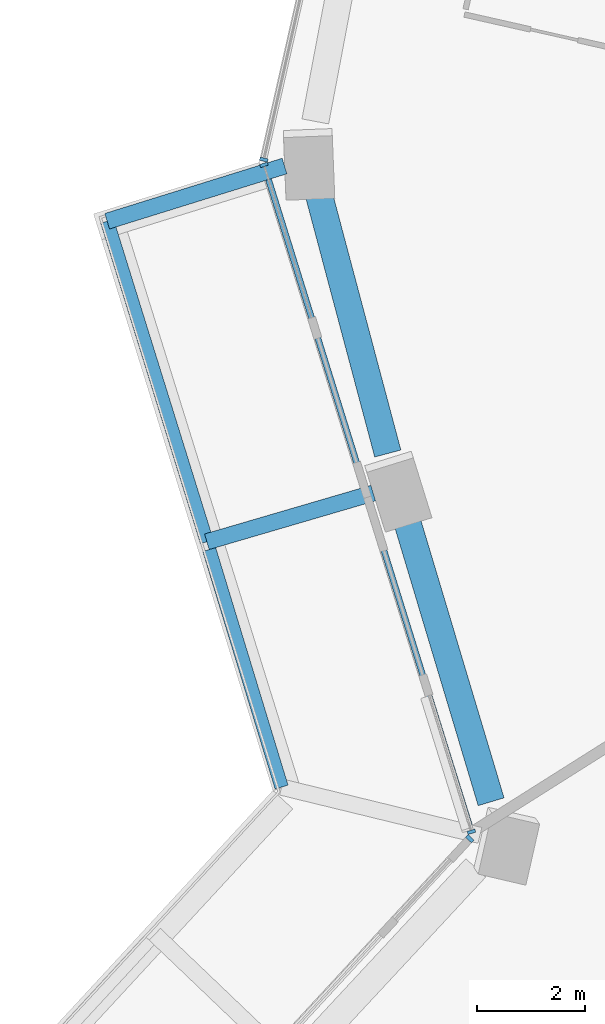
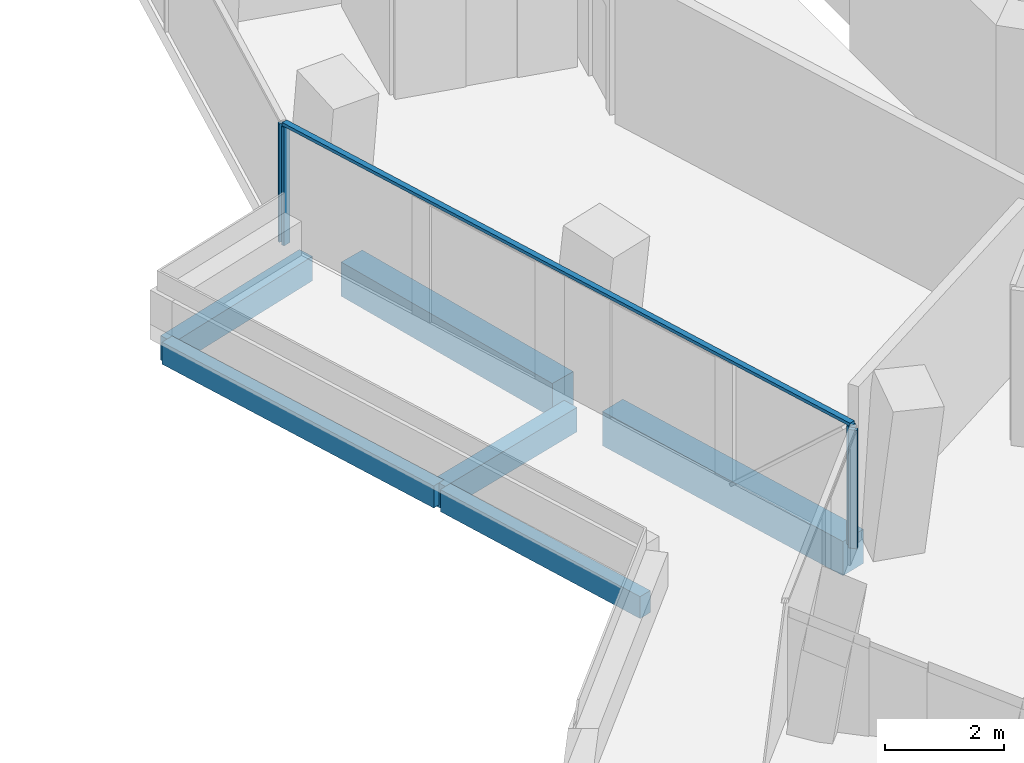
# One storey, part 4 of 25: 6 beams, 5 members, 3 elements without a shape of their own.
"""IFC4 building model written with IfcOpenShell, lengths in metres."""

from ifc_helpers import new_model, si_unit, direction, frame, origin, origin_2d, place, context, subcontext, project, spatial, rectangle, extrude, material, layer, layer_set, material_profile, profile_set, type_object, element, aggregate, save


model = new_model("IFC4")

# Units and contexts
model_context = context("Model", 3, precision=1e-05, world=origin(), true_north=direction((0.0, 1.0)))
body_context = subcontext(model_context, "Body", "Model", "MODEL_VIEW")
ifc_project = project(units=[si_unit("LENGTHUNIT", "METRE"), si_unit("AREAUNIT", "SQUARE_METRE"), si_unit("VOLUMEUNIT", "CUBIC_METRE"), si_unit("PLANEANGLEUNIT", "RADIAN"), si_unit("MASSUNIT", "GRAM", prefix="KILO")], contexts=[model_context])

# Site, building, storey
site_placement = place(None, origin())
site = spatial("IfcSite", under=ifc_project, at=site_placement, CompositionType="ELEMENT")
building_placement = place(site_placement, origin())
building = spatial("IfcBuilding", under=site, at=building_placement, Name="Verdalira Terraces Hotel", CompositionType="ELEMENT")
storey_placement = place(building_placement, frame((0.0, 0.0, 103.5)))
storey = spatial("IfcBuildingStorey", under=building, at=storey_placement, Name="L24", CompositionType="ELEMENT", Elevation=103.5)

# Beams
ifc_material_1 = material(Name="Concrete C40", Category="concrete")
ifc_material_profile_1 = material_profile(ifc_material_1, rectangle(XDim=0.300049, YDim=0.5, at=origin_2d()), Name="RC 300X500")
ifc_profile_set_1 = profile_set([ifc_material_profile_1], Name="Concrete C40")
beam_type_1 = type_object("IfcBeamType", Name="Balcony cantilever beam RC 300X500 C40", PredefinedType="BEAM", material=ifc_profile_set_1)
beam_1_placement = place(storey_placement, frame((-24.621582, -1.065674, -0.560059), z_axis=(-0.954865297, -0.297039164, 0.0), x_axis=(0.297039164, -0.954865297, 0.0)))
element("IfcBeam", 1, at=beam_1_placement, inside=storey, type_object=beam_type_1, Name="Balcony cantilever beam R13-3", PredefinedType="BEAM", context=body_context, shape_type="SweptSolid", body=[
    extrude(rectangle(XDim=0.300049, YDim=0.5, at=origin_2d()), origin(), (0.0, 0.0, 1.0), 3.431396),
])
beam_2_placement = place(storey_placement, frame((-22.984863, -7.105713, -0.560059), z_axis=(-0.959727877, -0.280931312, 0.0), x_axis=(0.280931312, -0.959727877, 0.0)))
element("IfcBeam", 2, at=beam_2_placement, inside=storey, type_object=beam_type_1, Name="Balcony cantilever beam R13-4", PredefinedType="BEAM", context=body_context, shape_type="SweptSolid", body=[
    extrude(rectangle(XDim=0.300049, YDim=0.5, at=origin_2d()), origin(), (0.0, 0.0, 1.0), 3.200684),
])
ifc_material_2 = material(Name="Concrete C40", Category="concrete")
ifc_material_profile_2 = material_profile(ifc_material_2, rectangle(XDim=0.25, YDim=0.449951, at=origin_2d()), Name="RC 250X450")
ifc_profile_set_2 = profile_set([ifc_material_profile_2], Name="Concrete C40")
beam_type_2 = type_object("IfcBeamType", Name="Balcony edge beam RC 250X450 C40", PredefinedType="BEAM", material=ifc_profile_set_2)
beam_3_placement = place(storey_placement, frame((-27.898193, -2.084961, -0.534912), z_axis=(0.297037031, -0.95486596, 0.0), x_axis=(0.95486596, 0.297037031, 0.0)))
element("IfcBeam", 3, at=beam_3_placement, inside=storey, type_object=beam_type_2, Name="Balcony edge beam R13-2", PredefinedType="BEAM", context=body_context, shape_type="SweptSolid", body=[
    extrude(rectangle(XDim=0.25, YDim=0.449951, at=origin_2d()), origin(), (0.0, 0.0, 1.0), 6.199707),
])
beam_4_placement = place(storey_placement, frame((-26.012939, -8.148438, -0.534912), z_axis=(0.291320469, -0.956625519, 0.0), x_axis=(0.956625519, 0.291320469, 0.0)))
element("IfcBeam", 4, at=beam_4_placement, inside=storey, type_object=beam_type_2, Name="Balcony edge beam R13-3", PredefinedType="BEAM", context=body_context, shape_type="SweptSolid", body=[
    extrude(rectangle(XDim=0.25, YDim=0.449951, at=origin_2d()), origin(), (0.0, 0.0, 1.0), 4.58667),
])

# Curtain wall, member
ifc_material_3 = material(Name="Clear glass", Category="glass")
ifc_layer_1 = layer(ifc_material_3, 0.14990234375)
ifc_layer_set_1 = layer_set([ifc_layer_1], Name="CW1 curtain wall")
curtain_wall_type_1 = type_object("IfcCurtainWallType", Name="CW1 curtain wall", PredefinedType="NOTDEFINED", material=ifc_layer_set_1)
curtain_wall_1_placement = place(storey_placement, origin())
curtain_wall_1 = element("IfcCurtainWall", 5, at=curtain_wall_1_placement, inside=storey, type_object=curtain_wall_type_1, Name="CW1 curtain wall L24 edge 12", PredefinedType="NOTDEFINED")
ifc_material_4 = material(Name="Terracotta frame", Category="masonry")
ifc_material_profile_3 = material_profile(ifc_material_4, rectangle(XDim=0.060059, YDim=0.149902, at=origin_2d()), Name="MU 60x150")
ifc_profile_set_3 = profile_set([ifc_material_profile_3], Name="Terracotta frame")
member_type_1 = type_object("IfcMemberType", Name="CW1 mullion 60x150", PredefinedType="MULLION", material=ifc_profile_set_3)
member_1_placement = place(storey_placement, frame((-25.005615, -0.947266, 0.0), z_axis=(0.0, 0.0, 1.0), x_axis=(-0.220186717, -0.975457744, 0.0)))
member_1 = element("IfcMember", 6, at=member_1_placement, type_object=member_type_1, Name="CW1 mullion", PredefinedType="MULLION", context=body_context, shape_type="SweptSolid", body=[
    extrude(rectangle(XDim=0.060059, YDim=0.149902, at=origin_2d()), origin(), (0.0, 0.0, 1.0), 2.425049),
])
aggregate(curtain_wall_1, [member_1])

# Curtain wall, members
curtain_wall_2_placement = place(storey_placement, origin())
curtain_wall_2 = element("IfcCurtainWall", 7, at=curtain_wall_2_placement, inside=storey, type_object=curtain_wall_type_1, Name="CW1 curtain wall L24 edge 13", PredefinedType="NOTDEFINED")
member_2_placement = place(storey_placement, frame((-25.001709, -1.043945, 0.0), z_axis=(0.0, 0.0, 1.0), x_axis=(0.297041582, -0.954864545, 0.0)))
member_2 = element("IfcMember", 8, at=member_2_placement, type_object=member_type_1, Name="CW1 mullion", PredefinedType="MULLION", context=body_context, shape_type="SweptSolid", body=[
    extrude(rectangle(XDim=0.060059, YDim=0.149902, at=origin_2d()), origin(), (0.0, 0.0, 1.0), 2.425049),
])
member_3_placement = place(storey_placement, frame((-21.169922, -13.361328, 0.0), z_axis=(0.0, 0.0, 1.0), x_axis=(0.297041582, -0.954864545, 0.0)))
member_3 = element("IfcMember", 9, at=member_3_placement, type_object=member_type_1, Name="CW1 mullion", PredefinedType="MULLION", context=body_context, shape_type="SweptSolid", body=[
    extrude(rectangle(XDim=0.060059, YDim=0.149902, at=origin_2d()), origin(), (0.0, 0.0, 1.0), 2.425049),
])
ifc_material_5 = material(Name="Terracotta frame", Category="masonry")
ifc_material_profile_4 = material_profile(ifc_material_5, rectangle(XDim=0.110107, YDim=0.064941, at=origin_2d()), Name="TR 65x110")
ifc_profile_set_4 = profile_set([ifc_material_profile_4], Name="Terracotta frame")
member_type_2 = type_object("IfcMemberType", Name="CW1 transom 65x110", PredefinedType="USERDEFINED", material=ifc_profile_set_4)
member_4_placement = place(storey_placement, frame((-25.010742, -1.015137, 2.45752), z_axis=(0.297039071, -0.954865326, 0.0), x_axis=(0.954865326, 0.297039071, 0.0)))
member_4 = element("IfcMember", 10, at=member_4_placement, type_object=member_type_2, Name="CW1 transom", ObjectType="TRANSOM", PredefinedType="USERDEFINED", context=body_context, shape_type="SweptSolid", body=[
    extrude(rectangle(XDim=0.110107, YDim=0.064941, at=origin_2d()), origin(), (0.0, 0.0, 1.0), 12.959961),
])
aggregate(curtain_wall_2, [member_2, member_3, member_4])

# Curtain wall, member
ifc_material_6 = material(Name="Clear glass", Category="glass")
ifc_layer_2 = layer(ifc_material_6, 0.14990234375)
ifc_layer_set_2 = layer_set([ifc_layer_2], Name="CW2 curtain wall")
curtain_wall_type_2 = type_object("IfcCurtainWallType", Name="CW2 curtain wall", PredefinedType="NOTDEFINED", material=ifc_layer_set_2)
curtain_wall_3_placement = place(storey_placement, origin())
curtain_wall_3 = element("IfcCurtainWall", 11, at=curtain_wall_3_placement, inside=storey, type_object=curtain_wall_type_2, Name="CW2 curtain wall L24 edge 14", PredefinedType="NOTDEFINED")
ifc_material_7 = material(Name="Terracotta frame", Category="masonry")
ifc_material_profile_5 = material_profile(ifc_material_7, rectangle(XDim=0.070068, YDim=0.149902, at=origin_2d()), Name="MU 70x150")
ifc_profile_set_5 = profile_set([ifc_material_profile_5], Name="Terracotta frame")
member_type_3 = type_object("IfcMemberType", Name="CW2 mullion 70x150", PredefinedType="MULLION", material=ifc_profile_set_5)
member_5_placement = place(storey_placement, frame((-21.201172, -13.489014, 0.0), z_axis=(0.0, 0.0, 1.0), x_axis=(-0.678416162, -0.734677828, 0.0)))
member_5 = element("IfcMember", 12, at=member_5_placement, type_object=member_type_3, Name="CW2 mullion", PredefinedType="MULLION", context=body_context, shape_type="SweptSolid", body=[
    extrude(rectangle(XDim=0.070068, YDim=0.149902, at=origin_2d()), origin(), (0.0, 0.0, 1.0), 2.425049),
])
aggregate(curtain_wall_3, [member_5])

# Beams
ifc_material_8 = material(Name="Concrete C70", Category="concrete")
ifc_material_profile_6 = material_profile(ifc_material_8, rectangle(XDim=0.5, YDim=0.699951, at=origin_2d()), Name="RC 500X700")
ifc_profile_set_6 = profile_set([ifc_material_profile_6], Name="Concrete C70")
beam_type_3 = type_object("IfcBeamType", Name="Spandrel beam RC 500X700 C70", PredefinedType="SPANDREL", material=ifc_profile_set_6)
beam_5_placement = place(storey_placement, frame((-24.004883, -1.52832, -0.659912), z_axis=(0.257168762, -0.966366508, 0.0), x_axis=(0.966366508, 0.257168762, 0.0)))
element("IfcBeam", 13, at=beam_5_placement, inside=storey, type_object=beam_type_3, Name="Spandrel beam B08", PredefinedType="SPANDREL", context=body_context, shape_type="SweptSolid", body=[
    extrude(rectangle(XDim=0.5, YDim=0.699951, at=origin_2d()), origin(), (0.0, 0.0, 1.0), 5.015381),
])
beam_6_placement = place(storey_placement, frame((-22.398438, -7.494873, -0.659912), z_axis=(0.287032792, -0.957920757, 0.0), x_axis=(0.957920757, 0.287032792, 0.0)))
element("IfcBeam", 14, at=beam_6_placement, inside=storey, type_object=beam_type_3, Name="Spandrel beam B09", PredefinedType="SPANDREL", context=body_context, shape_type="SweptSolid", body=[
    extrude(rectangle(XDim=0.5, YDim=0.699951, at=origin_2d()), origin(), (0.0, 0.0, 1.0), 5.544922),
])

save(model, "model.ifc")
